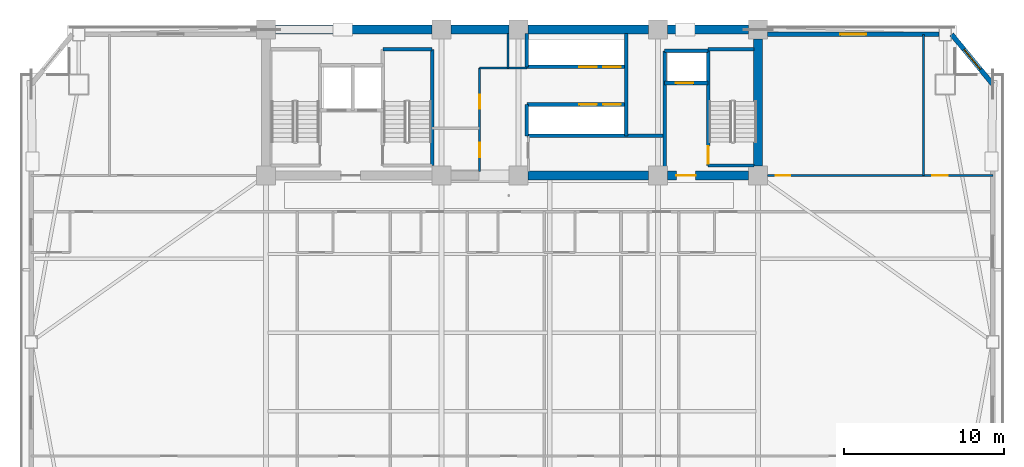
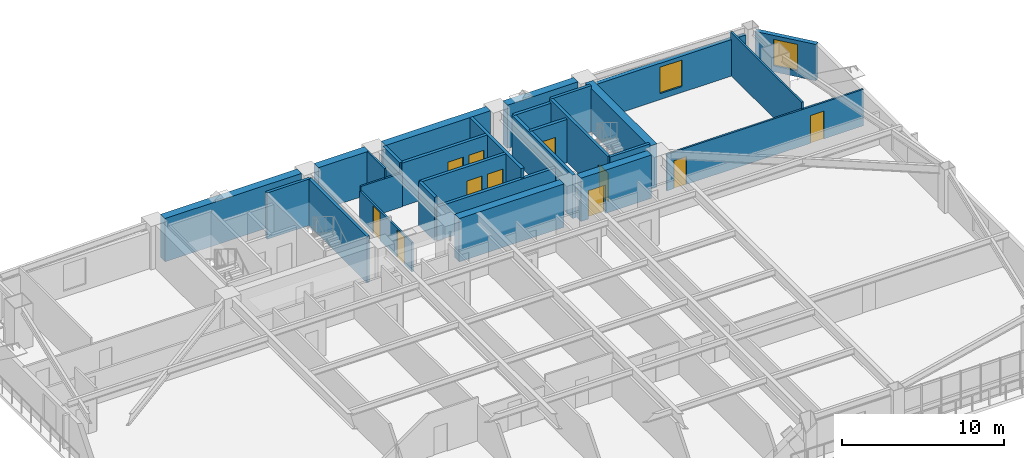
# One storey, part 10 of 17: 28 walls, 11 doors, 2 windows, 13 openings.
"""IFC4 building model written with IfcOpenShell, lengths in metres."""

from ifc_helpers import new_model, si_unit, direction, frame, frame_2d, origin, place, context, subcontext, project, spatial, rectangle, extrude, source, transform, mapped, material, layer, layer_set, type_object, element, fill, save


model = new_model("IFC4")

# Units and contexts
model_context = context("Model", 3, precision=1e-05, world=origin(), true_north=direction((0.0, 1.0)))
body_context = subcontext(model_context, "Body", "Model", "MODEL_VIEW")
ifc_project = project(units=[si_unit("LENGTHUNIT", "METRE"), si_unit("AREAUNIT", "SQUARE_METRE"), si_unit("VOLUMEUNIT", "CUBIC_METRE"), si_unit("PLANEANGLEUNIT", "RADIAN"), si_unit("MASSUNIT", "GRAM", prefix="KILO")], contexts=[model_context])

# Site, building, storey
site_placement = place(None, origin())
site = spatial("IfcSite", under=ifc_project, at=site_placement, CompositionType="ELEMENT")
building_placement = place(site_placement, origin())
building = spatial("IfcBuilding", under=site, at=building_placement, Name="Giltprow Tower", CompositionType="ELEMENT")
storey_placement = place(building_placement, frame((0.0, 0.0, 137.699951171875)))
storey = spatial("IfcBuildingStorey", under=building, at=storey_placement, Name="L33", CompositionType="ELEMENT", Elevation=137.699951171875)

# Wall, opening, window
ifc_material_1 = material(Name="Precast concrete C40", Category="concrete")
ifc_layer_1 = layer(ifc_material_1, 0.300048828125, Name="Precast concrete C40")
ifc_layer_set_1 = layer_set([ifc_layer_1], Name="Precast concrete C40")
wall_type_1 = type_object("IfcWallType", Name="EW-NOTCH-CHAMFER-300", PredefinedType="SOLIDWALL", material=ifc_layer_set_1)
wall_1_placement = place(storey_placement, frame((65.18603515625, 43.134033203125, 0.0), z_axis=(0.0, 0.0, 1.0), x_axis=(-0.63553760815, 0.772069911748, 0.0)))
wall_1 = element("IfcWall", 1, at=wall_1_placement, inside=storey, type_object=wall_type_1, Name="L33 Corner Notch Wall NE", PredefinedType="SOLIDWALL", context=body_context, shape_type="SweptSolid", body=[
    extrude(rectangle(XDim=4.035888671875, YDim=0.300048828125, at=frame_2d((2.01806640625, 0.0))), origin(), (0.0, 0.0, 1.0), 2.75),
])
opening_1_placement = place(wall_1_placement, frame((1.218017578125, 0.0, 0.449951171875)))
opening_1 = element("IfcOpeningElement", 2, at=opening_1_placement, cuts=wall_1, Name="Opening WN17", PredefinedType="OPENING", context=body_context, shape_type="SweptSolid", body=[
    extrude(rectangle(XDim=1.60009765625, YDim=2.0, at=frame_2d((0.800048828125, 1.0))), frame((0.0, 0.159912109375, 0.0), z_axis=(0.0, -1.0, 0.0), x_axis=(1.0, 0.0, 0.0)), (0.0, 0.0, 1.0), 0.320068359375),
])
ifc_material_2 = material(Name="Insulated glass", Category="glass")
window_type = type_object("IfcWindowType", Name="WN-COR-1600x2000", PartitioningType="SINGLE_PANEL", PredefinedType="WINDOW", material=ifc_material_2)
shared_shape_1 = source(origin(), body_context, "Body", "SweptSolid", [
    extrude(rectangle(XDim=1.60009765625, YDim=2.0, at=frame_2d((0.800048828125, 1.0))), frame((0.0, 0.030029296875, 0.0), z_axis=(0.0, -1.0, 0.0), x_axis=(1.0, 0.0, 0.0)), (0.0, 0.0, 1.0), 0.06005859375),
])
window_1_placement = place(opening_1_placement, origin())
window_1 = element("IfcWindow", 3, at=window_1_placement, inside=storey, type_object=window_type, Name="L33 Corner Notch Window NE", OverallHeight=2.0, OverallWidth=1.60009765625, PartitioningType="SINGLE_PANEL", PredefinedType="WINDOW", context=body_context, shape_type="MappedRepresentation", body=[
    mapped(shared_shape_1, transform((0.0, 0.0, 0.0), x_axis=(1.0, 0.0, 0.0), y_axis=(0.0, 1.0, 0.0), z_axis=(0.0, 0.0, 1.0), scale=1.0)),
])
fill(opening_1, window_1)

ifc_layer_2 = layer(ifc_material_1, 0.280029296875, Name="Precast concrete C40")
ifc_layer_set_2 = layer_set([ifc_layer_2], Name="Precast concrete C40")
wall_type_2 = type_object("IfcWallType", Name="EW-TOW-BRONZE-280", PredefinedType="SOLIDWALL", material=ifc_layer_set_2)
wall_2_placement = place(storey_placement, frame((51.14990234375, 46.25, 0.0), z_axis=(0.0, 0.0, 1.0), x_axis=(1.0, 0.0, 0.0)))
wall_2 = element("IfcWall", 4, at=wall_2_placement, inside=storey, type_object=wall_type_2, Name="L33 North-East Wing Wall", PredefinedType="SOLIDWALL", context=body_context, shape_type="SweptSolid", body=[
    extrude(rectangle(XDim=10.671142578125, YDim=0.280029296875, at=frame_2d((5.33544921875, 0.0))), origin(), (0.0, 0.0, 1.0), 2.75),
])
opening_2_placement = place(wall_2_placement, frame((4.534912109375, 0.0, 0.449951171875)))
opening_2 = element("IfcOpeningElement", 5, at=opening_2_placement, cuts=wall_2, Name="Opening WN17", PredefinedType="OPENING", context=body_context, shape_type="SweptSolid", body=[
    extrude(rectangle(XDim=1.60009765625, YDim=2.0, at=frame_2d((0.800048828125, 1.0))), frame((0.0, 0.14990234375, 0.0), z_axis=(0.0, -1.0, 0.0), x_axis=(1.0, 0.0, 0.0)), (0.0, 0.0, 1.0), 0.300048828125),
])
window_2_placement = place(opening_2_placement, origin())
window_2 = element("IfcWindow", 6, at=window_2_placement, inside=storey, type_object=window_type, Name="L33 North-East Window", OverallHeight=2.0, OverallWidth=1.60009765625, PartitioningType="SINGLE_PANEL", PredefinedType="WINDOW", context=body_context, shape_type="MappedRepresentation", body=[
    mapped(shared_shape_1, transform((0.0, 0.0, 0.0), x_axis=(1.0, 0.0, 0.0), y_axis=(0.0, 1.0, 0.0), z_axis=(0.0, 0.0, 1.0), scale=1.0)),
])
fill(opening_2, window_2)

# Wall, opening, door
ifc_material_3 = material(Name="Concrete C40", Category="concrete")
ifc_layer_3 = layer(ifc_material_3, 0.219970703125, Name="Concrete C40")
ifc_layer_set_3 = layer_set([ifc_layer_3], Name="Concrete C40")
wall_type_3 = type_object("IfcWallType", Name="IW-SHAFT-220", PredefinedType="SOLIDWALL", material=ifc_layer_set_3)
wall_3_placement = place(storey_placement, frame((44.719970703125, 43.219970703125, 0.0), z_axis=(0.0, 0.0, 1.0), x_axis=(1.0, 0.0, 0.0)))
wall_3 = element("IfcWall", 7, at=wall_3_placement, inside=storey, type_object=wall_type_3, Name="L33 FFL2 Front Shaft Wall", PredefinedType="SOLIDWALL", context=body_context, shape_type="SweptSolid", body=[
    extrude(rectangle(XDim=2.719970703125, YDim=0.219970703125, at=frame_2d((1.35986328125, 0.0))), origin(), (0.0, 0.0, 1.0), 3.27001953125),
])
opening_3_placement = place(wall_3_placement, frame((0.699951171875, 0.0, 0.0)))
opening_3 = element("IfcOpeningElement", 8, at=opening_3_placement, cuts=wall_3, Name="Opening LD-11", PredefinedType="OPENING", context=body_context, shape_type="SweptSolid", body=[
    extrude(rectangle(XDim=1.10009765625, YDim=2.199951171875, at=frame_2d((0.550048828125, 1.10009765625))), frame((0.0, 0.119873046875, 0.0), z_axis=(0.0, -1.0, 0.0), x_axis=(1.0, 0.0, 0.0)), (0.0, 0.0, 1.0), 0.239990234375),
])
ifc_material_4 = material(Name="Stainless steel", Category="steel")
door_type_1 = type_object("IfcDoorType", Name="DR-LIFT-LD1100", OperationType="SLIDING_TO_LEFT", PredefinedType="DOOR", material=ifc_material_4)
shared_shape_2 = source(origin(), body_context, "Body", "SweptSolid", [
    extrude(rectangle(XDim=1.10009765625, YDim=2.199951171875, at=frame_2d((0.550048828125, 1.10009765625))), frame((0.0, 0.02490234375, 0.0), z_axis=(0.0, -1.0, 0.0), x_axis=(1.0, 0.0, 0.0)), (0.0, 0.0, 1.0), 0.050048828125),
])
door_1_placement = place(opening_3_placement, origin())
door_1 = element("IfcDoor", 9, at=door_1_placement, inside=storey, type_object=door_type_1, Name="L33 FFL2 Landing Door", OperationType="SLIDING_TO_LEFT", OverallHeight=2.199951171875, OverallWidth=1.10009765625, PredefinedType="DOOR", context=body_context, shape_type="MappedRepresentation", body=[
    mapped(shared_shape_2, transform((0.0, 0.0, 0.0), x_axis=(1.0, 0.0, 0.0), y_axis=(0.0, 1.0, 0.0), z_axis=(0.0, 0.0, 1.0), scale=1.0)),
])
fill(opening_3, door_1)

# Walls
wall_4_placement = place(storey_placement, frame((44.719970703125, 45.219970703125, 0.0), z_axis=(0.0, 0.0, 1.0), x_axis=(1.0, 0.0, 0.0)))
element("IfcWall", 10, at=wall_4_placement, inside=storey, type_object=wall_type_3, Name="L33 FFL2 Back Shaft Wall", PredefinedType="SOLIDWALL", context=body_context, shape_type="SweptSolid", body=[
    extrude(rectangle(XDim=2.719970703125, YDim=0.219970703125, at=frame_2d((1.35986328125, 0.0))), origin(), (0.0, 0.0, 1.0), 3.27001953125),
])
wall_5_placement = place(storey_placement, frame((44.719970703125, 37.705078125, 0.0), z_axis=(0.0, 0.0, 1.0), x_axis=(0.0, 1.0, 0.0)))
element("IfcWall", 11, at=wall_5_placement, inside=storey, type_object=wall_type_3, Name="L33 East Firefighting Lobby West Wall", PredefinedType="SOLIDWALL", context=body_context, shape_type="SweptSolid", body=[
    extrude(rectangle(XDim=7.514892578125, YDim=0.219970703125, at=frame_2d((3.75732421875, 0.0))), origin(), (0.0, 0.0, 1.0), 3.27001953125),
])

# Wall, openings, doors
wall_6_placement = place(storey_placement, frame((36.1201171875, 44.219970703125, 0.0), z_axis=(0.0, 0.0, 1.0), x_axis=(1.0, 0.0, 0.0)))
wall_6 = element("IfcWall", 12, at=wall_6_placement, inside=storey, type_object=wall_type_3, Name="L33 Mid-Rise Lift Shaft Front Wall N", PredefinedType="SOLIDWALL", context=body_context, shape_type="SweptSolid", body=[
    extrude(rectangle(XDim=6.199951171875, YDim=0.219970703125, at=frame_2d((3.10009765625, 0.0))), origin(), (0.0, 0.0, 1.0), 3.27001953125),
])
opening_4_placement = place(wall_6_placement, frame((3.280029296875, 0.0, 0.0)))
opening_4 = element("IfcOpeningElement", 13, at=opening_4_placement, cuts=wall_6, Name="Opening LD-11", PredefinedType="OPENING", context=body_context, shape_type="SweptSolid", body=[
    extrude(rectangle(XDim=1.10009765625, YDim=2.199951171875, at=frame_2d((0.550048828125, 1.10009765625))), frame((0.0, 0.119873046875, 0.0), z_axis=(0.0, -1.0, 0.0), x_axis=(1.0, 0.0, 0.0)), (0.0, 0.0, 1.0), 0.239990234375),
])
opening_5_placement = place(wall_6_placement, frame((4.77001953125, 0.0, 0.0)))
opening_5 = element("IfcOpeningElement", 14, at=opening_5_placement, cuts=wall_6, Name="Opening LD-11", PredefinedType="OPENING", context=body_context, shape_type="SweptSolid", body=[
    extrude(rectangle(XDim=1.10009765625, YDim=2.199951171875, at=frame_2d((0.550048828125, 1.10009765625))), frame((0.0, 0.119873046875, 0.0), z_axis=(0.0, -1.0, 0.0), x_axis=(1.0, 0.0, 0.0)), (0.0, 0.0, 1.0), 0.239990234375),
])
door_2_placement = place(opening_4_placement, origin())
door_2 = element("IfcDoor", 15, at=door_2_placement, inside=storey, type_object=door_type_1, Name="L33 PL-M1 Landing Door", OperationType="SLIDING_TO_LEFT", OverallHeight=2.199951171875, OverallWidth=1.10009765625, PredefinedType="DOOR", context=body_context, shape_type="MappedRepresentation", body=[
    mapped(shared_shape_2, transform((0.0, 0.0, 0.0), x_axis=(1.0, 0.0, 0.0), y_axis=(0.0, 1.0, 0.0), z_axis=(0.0, 0.0, 1.0), scale=1.0)),
])
fill(opening_4, door_2)
door_3_placement = place(opening_5_placement, origin())
door_3 = element("IfcDoor", 16, at=door_3_placement, inside=storey, type_object=door_type_1, Name="L33 PL-M2 Landing Door", OperationType="SLIDING_TO_LEFT", OverallHeight=2.199951171875, OverallWidth=1.10009765625, PredefinedType="DOOR", context=body_context, shape_type="MappedRepresentation", body=[
    mapped(shared_shape_2, transform((0.0, 0.0, 0.0), x_axis=(1.0, 0.0, 0.0), y_axis=(0.0, 1.0, 0.0), z_axis=(0.0, 0.0, 1.0), scale=1.0)),
])
fill(opening_5, door_3)

wall_7_placement = place(storey_placement, frame((36.1201171875, 41.8798828125, 0.0), z_axis=(0.0, 0.0, 1.0), x_axis=(1.0, 0.0, 0.0)))
wall_7 = element("IfcWall", 17, at=wall_7_placement, inside=storey, type_object=wall_type_3, Name="L33 Mid-Rise Lift Shaft Front Wall S", PredefinedType="SOLIDWALL", context=body_context, shape_type="SweptSolid", body=[
    extrude(rectangle(XDim=6.199951171875, YDim=0.219970703125, at=frame_2d((3.10009765625, 0.0))), origin(), (0.0, 0.0, 1.0), 3.27001953125),
])
opening_6_placement = place(wall_7_placement, frame((3.280029296875, 0.0, 0.0)))
opening_6 = element("IfcOpeningElement", 18, at=opening_6_placement, cuts=wall_7, Name="Opening LD-11", PredefinedType="OPENING", context=body_context, shape_type="SweptSolid", body=[
    extrude(rectangle(XDim=1.10009765625, YDim=2.199951171875, at=frame_2d((0.550048828125, 1.10009765625))), frame((0.0, 0.119873046875, 0.0), z_axis=(0.0, -1.0, 0.0), x_axis=(1.0, 0.0, 0.0)), (0.0, 0.0, 1.0), 0.239990234375),
])
opening_7_placement = place(wall_7_placement, frame((4.77001953125, 0.0, 0.0)))
opening_7 = element("IfcOpeningElement", 19, at=opening_7_placement, cuts=wall_7, Name="Opening LD-11", PredefinedType="OPENING", context=body_context, shape_type="SweptSolid", body=[
    extrude(rectangle(XDim=1.10009765625, YDim=2.199951171875, at=frame_2d((0.550048828125, 1.10009765625))), frame((0.0, 0.119873046875, 0.0), z_axis=(0.0, -1.0, 0.0), x_axis=(1.0, 0.0, 0.0)), (0.0, 0.0, 1.0), 0.239990234375),
])
door_4_placement = place(opening_6_placement, origin())
door_4 = element("IfcDoor", 20, at=door_4_placement, inside=storey, type_object=door_type_1, Name="L33 PL-M3 Landing Door", OperationType="SLIDING_TO_LEFT", OverallHeight=2.199951171875, OverallWidth=1.10009765625, PredefinedType="DOOR", context=body_context, shape_type="MappedRepresentation", body=[
    mapped(shared_shape_2, transform((0.0, 0.0, 0.0), x_axis=(1.0, 0.0, 0.0), y_axis=(0.0, 1.0, 0.0), z_axis=(0.0, 0.0, 1.0), scale=1.0)),
])
fill(opening_6, door_4)
door_5_placement = place(opening_7_placement, origin())
door_5 = element("IfcDoor", 21, at=door_5_placement, inside=storey, type_object=door_type_1, Name="L33 PL-M4 Landing Door", OperationType="SLIDING_TO_LEFT", OverallHeight=2.199951171875, OverallWidth=1.10009765625, PredefinedType="DOOR", context=body_context, shape_type="MappedRepresentation", body=[
    mapped(shared_shape_2, transform((0.0, 0.0, 0.0), x_axis=(1.0, 0.0, 0.0), y_axis=(0.0, 1.0, 0.0), z_axis=(0.0, 0.0, 1.0), scale=1.0)),
])
fill(opening_7, door_5)

# Walls
wall_8_placement = place(storey_placement, frame((36.1201171875, 39.919921875, 0.0), z_axis=(0.0, 0.0, 1.0), x_axis=(1.0, 0.0, 0.0)))
element("IfcWall", 22, at=wall_8_placement, inside=storey, type_object=wall_type_3, Name="L33 Mid-Rise South Lift Back Wall", PredefinedType="SOLIDWALL", context=body_context, shape_type="SweptSolid", body=[
    extrude(rectangle(XDim=8.599853515625, YDim=0.219970703125, at=frame_2d((4.2998046875, 0.0))), origin(), (0.0, 0.0, 1.0), 2.554931640625),
])
wall_9_placement = place(storey_placement, frame((42.320068359375, 39.919921875, 0.0), z_axis=(0.0, 0.0, 1.0), x_axis=(0.0, 1.0, 0.0)))
element("IfcWall", 23, at=wall_9_placement, inside=storey, type_object=wall_type_3, Name="L33 Mid-Rise Lift Bank East Closure", PredefinedType="SOLIDWALL", context=body_context, shape_type="SweptSolid", body=[
    extrude(rectangle(XDim=6.375, YDim=0.219970703125, at=frame_2d((3.1875, 0.0))), origin(), (0.0, 0.0, 1.0), 3.27001953125),
])
wall_10_placement = place(storey_placement, frame((36.1201171875, 39.919921875, 0.0), z_axis=(0.0, 0.0, 1.0), x_axis=(0.0, 1.0, 0.0)))
element("IfcWall", 24, at=wall_10_placement, inside=storey, type_object=wall_type_3, Name="L33 Mid-Rise South Lift West Closure", PredefinedType="SOLIDWALL", context=body_context, shape_type="SweptSolid", body=[
    extrude(rectangle(XDim=1.9599609375, YDim=0.219970703125, at=frame_2d((0.97998046875, 0.0))), origin(), (0.0, 0.0, 1.0), 3.27001953125),
])
wall_11_placement = place(storey_placement, frame((36.1201171875, 44.219970703125, 0.0), z_axis=(0.0, 0.0, 1.0), x_axis=(0.0, 1.0, 0.0)))
element("IfcWall", 25, at=wall_11_placement, inside=storey, type_object=wall_type_3, Name="L33 Mid-Rise North Lift West Closure", PredefinedType="SOLIDWALL", context=body_context, shape_type="SweptSolid", body=[
    extrude(rectangle(XDim=2.074951171875, YDim=0.219970703125, at=frame_2d((1.03759765625, 0.0))), origin(), (0.0, 0.0, 1.0), 3.27001953125),
])
ifc_layer_4 = layer(ifc_material_3, 0.199951171875, Name="Concrete C40")
ifc_layer_set_4 = layer_set([ifc_layer_4], Name="Concrete C40")
wall_type_4 = type_object("IfcWallType", Name="IW-STAIR-200", PredefinedType="SOLIDWALL", material=ifc_layer_set_4)
wall_12_placement = place(storey_placement, frame((30.219970703125, 38.070068359375, 0.0), z_axis=(0.0, 0.0, 1.0), x_axis=(0.0, 1.0, 0.0)))
element("IfcWall", 26, at=wall_12_placement, inside=storey, type_object=wall_type_4, Name="L33 Stair ST-2 East Bearing Wall", PredefinedType="SOLIDWALL", context=body_context, shape_type="SweptSolid", body=[
    extrude(rectangle(XDim=7.25, YDim=0.199951171875, at=frame_2d((3.625, 0.0))), origin(), (0.0, 0.0, 1.0), 3.5),
])
wall_13_placement = place(storey_placement, frame((27.139892578125, 45.320068359375, 0.0), z_axis=(0.0, 0.0, 1.0), x_axis=(1.0, 0.0, 0.0)))
element("IfcWall", 27, at=wall_13_placement, inside=storey, type_object=wall_type_4, Name="L33 Stair ST-2 North Bearing Wall", PredefinedType="SOLIDWALL", context=body_context, shape_type="SweptSolid", body=[
    extrude(rectangle(XDim=3.080078125, YDim=0.199951171875, at=frame_2d((1.5400390625, 0.0))), origin(), (0.0, 0.0, 1.0), 3.5),
])

# Wall, opening, door
wall_14_placement = place(storey_placement, frame((47.43994140625, 38.070068359375, 0.0), z_axis=(0.0, 0.0, 1.0), x_axis=(0.0, 1.0, 0.0)))
wall_14 = element("IfcWall", 28, at=wall_14_placement, inside=storey, type_object=wall_type_4, Name="L33 Stair ST-3 West Bearing Wall", PredefinedType="SOLIDWALL", context=body_context, shape_type="SweptSolid", body=[
    extrude(rectangle(XDim=7.25, YDim=0.199951171875, at=frame_2d((3.625, 0.0))), origin(), (0.0, 0.0, 1.0), 3.5),
])
opening_8_placement = place(wall_14_placement, frame((0.110107421875, 0.0, 0.0)))
opening_8 = element("IfcOpeningElement", 29, at=opening_8_placement, cuts=wall_14, Name="Opening ID33", PredefinedType="OPENING", context=body_context, shape_type="SweptSolid", body=[
    extrude(rectangle(XDim=1.10009765625, YDim=2.14990234375, at=frame_2d((0.550048828125, 1.074951171875))), frame((0.0, 0.10986328125, 0.0), z_axis=(0.0, -1.0, 0.0), x_axis=(1.0, 0.0, 0.0)), (0.0, 0.0, 1.0), 0.219970703125),
])
ifc_material_5 = material(Name="Steel fire leaf", Category="steel")
door_type_2 = type_object("IfcDoorType", Name="DR-STAIR-1100", OperationType="SINGLE_SWING_LEFT", PredefinedType="DOOR", material=ifc_material_5)
shared_shape_3 = source(origin(), body_context, "Body", "SweptSolid", [
    extrude(rectangle(XDim=1.10009765625, YDim=2.14990234375, at=frame_2d((0.550048828125, 1.074951171875))), frame((0.0, 0.02490234375, 0.0), z_axis=(0.0, -1.0, 0.0), x_axis=(1.0, 0.0, 0.0)), (0.0, 0.0, 1.0), 0.050048828125),
])
door_6_placement = place(opening_8_placement, origin())
door_6 = element("IfcDoor", 30, at=door_6_placement, inside=storey, type_object=door_type_2, Name="L33 Stair ST-3 Fire Door", OperationType="SINGLE_SWING_RIGHT", OverallHeight=2.14990234375, OverallWidth=1.10009765625, PredefinedType="DOOR", context=body_context, shape_type="MappedRepresentation", body=[
    mapped(shared_shape_3, transform((0.0, 0.0, 0.0), x_axis=(1.0, 0.0, 0.0), y_axis=(0.0, 1.0, 0.0), z_axis=(0.0, 0.0, 1.0), scale=1.0)),
])
fill(opening_8, door_6)

# Walls
for number, where, z_axis, x_axis, name in (
    (31, (47.43994140625, 45.320068359375, 0.0), (0.0, 0.0, 1.0), (1.0, 0.0, 0.0), "L33 Stair ST-3 North Bearing Wall"),
    (32, (47.43994140625, 38.070068359375, 0.0), (0.0, 0.0, 1.0), (1.0, 0.0, 0.0), "L33 Stair ST-3 South Bearing Wall"),
):
    element("IfcWall", number, at=place(storey_placement, frame(where, z_axis=z_axis, x_axis=x_axis)), inside=storey, type_object=wall_type_4, Name=name, PredefinedType="SOLIDWALL", context=body_context, shape_type="SweptSolid", body=[
        extrude(rectangle(XDim=2.85498046875, YDim=0.199951171875, at=frame_2d((1.427490234375, 0.0))), origin(), (0.0, 0.0, 1.0), 3.5),
    ])

# Wall, openings, doors
ifc_material_6 = material(Name="Concrete C30", Category="concrete")
ifc_layer_5 = layer(ifc_material_6, 0.1298828125, Name="Concrete C30")
ifc_layer_set_5 = layer_set([ifc_layer_5], Name="Concrete C30")
wall_type_5 = type_object("IfcWallType", Name="IW-WET-130", PredefinedType="PARTITIONING", material=ifc_layer_set_5)
wall_15_placement = place(storey_placement, frame((33.179931640625, 37.705078125, 0.0), z_axis=(0.0, 0.0, 1.0), x_axis=(0.0, 1.0, 0.0)))
wall_15 = element("IfcWall", 33, at=wall_15_placement, inside=storey, type_object=wall_type_5, Name="L33 Reclaimed Core Room East Wall", PredefinedType="PARTITIONING", context=body_context, shape_type="SweptSolid", body=[
    extrude(rectangle(XDim=6.44482421875, YDim=0.1298828125, at=frame_2d((3.222412109375, 0.0))), origin(), (0.0, 0.0, 1.0), 2.219970703125),
])
opening_9_placement = place(wall_15_placement, frame((0.89501953125, 0.0, 0.0)))
opening_9 = element("IfcOpeningElement", 34, at=opening_9_placement, cuts=wall_15, Name="Opening ID35", PredefinedType="OPENING", context=body_context, shape_type="SweptSolid", body=[
    extrude(rectangle(XDim=0.89990234375, YDim=2.10009765625, at=frame_2d((0.449951171875, 1.050048828125))), frame((0.0, 0.074951171875, 0.0), z_axis=(0.0, -1.0, 0.0), x_axis=(1.0, 0.0, 0.0)), (0.0, 0.0, 1.0), 0.14990234375),
])
opening_10_placement = place(wall_15_placement, frame((3.89501953125, 0.0, 0.0)))
opening_10 = element("IfcOpeningElement", 35, at=opening_10_placement, cuts=wall_15, Name="Opening ID35", PredefinedType="OPENING", context=body_context, shape_type="SweptSolid", body=[
    extrude(rectangle(XDim=0.89990234375, YDim=2.10009765625, at=frame_2d((0.449951171875, 1.050048828125))), frame((0.0, 0.074951171875, 0.0), z_axis=(0.0, -1.0, 0.0), x_axis=(1.0, 0.0, 0.0)), (0.0, 0.0, 1.0), 0.14990234375),
])
door_type_3 = type_object("IfcDoorType", Name="DR-SHAFT-900", OperationType="SINGLE_SWING_LEFT", PredefinedType="DOOR", material=ifc_material_5)
shared_shape_4 = source(origin(), body_context, "Body", "SweptSolid", [
    extrude(rectangle(XDim=0.89990234375, YDim=2.10009765625, at=frame_2d((0.449951171875, 1.050048828125))), frame((0.0, 0.02490234375, 0.0), z_axis=(0.0, -1.0, 0.0), x_axis=(1.0, 0.0, 0.0)), (0.0, 0.0, 1.0), 0.050048828125),
])
door_7_placement = place(opening_9_placement, origin())
door_7 = element("IfcDoor", 36, at=door_7_placement, inside=storey, type_object=door_type_3, Name="L33 Core Accessible WC Door", OperationType="SINGLE_SWING_LEFT", OverallHeight=2.10009765625, OverallWidth=0.89990234375, PredefinedType="DOOR", context=body_context, shape_type="MappedRepresentation", body=[
    mapped(shared_shape_4, transform((0.0, 0.0, 0.0), x_axis=(1.0, 0.0, 0.0), y_axis=(0.0, 1.0, 0.0), z_axis=(0.0, 0.0, 1.0), scale=1.0)),
])
fill(opening_9, door_7)
door_8_placement = place(opening_10_placement, origin())
door_8 = element("IfcDoor", 37, at=door_8_placement, inside=storey, type_object=door_type_3, Name="L33 Housekeeping Room Door", OperationType="SINGLE_SWING_RIGHT", OverallHeight=2.10009765625, OverallWidth=0.89990234375, PredefinedType="DOOR", context=body_context, shape_type="MappedRepresentation", body=[
    mapped(shared_shape_4, transform((0.0, 0.0, 0.0), x_axis=(1.0, 0.0, 0.0), y_axis=(0.0, 1.0, 0.0), z_axis=(0.0, 0.0, 1.0), scale=1.0)),
])
fill(opening_10, door_8)

# Walls
wall_16_placement = place(storey_placement, frame((34.949951171875, 44.14990234375, 0.0), z_axis=(0.0, 0.0, 1.0), x_axis=(0.0, 1.0, 0.0)))
element("IfcWall", 38, at=wall_16_placement, inside=storey, type_object=wall_type_5, Name="L33 Reclaimed North Pocket East Wall", PredefinedType="PARTITIONING", context=body_context, shape_type="SweptSolid", body=[
    extrude(rectangle(XDim=2.14501953125, YDim=0.1298828125, at=frame_2d((1.072509765625, 0.0))), origin(), (0.0, 0.0, 1.0), 3.27001953125),
])
wall_17_placement = place(storey_placement, frame((33.179931640625, 44.14990234375, 0.0), z_axis=(0.0, 0.0, 1.0), x_axis=(1.0, 0.0, 0.0)))
element("IfcWall", 39, at=wall_17_placement, inside=storey, type_object=wall_type_5, Name="L33 Reclaimed North Pocket South Wall", PredefinedType="PARTITIONING", context=body_context, shape_type="SweptSolid", body=[
    extrude(rectangle(XDim=2.969970703125, YDim=0.1298828125, at=frame_2d((1.48486328125, 0.0))), origin(), (0.0, 0.0, 1.0), 2.554931640625),
])

# Wall, openings, doors
wall_18_placement = place(storey_placement, frame((51.14990234375, 37.449951171875, 0.0), z_axis=(0.0, 0.0, 1.0), x_axis=(1.0, 0.0, 0.0)))
wall_18 = element("IfcWall", 40, at=wall_18_placement, inside=storey, type_object=wall_type_5, Name="L33 NE Wing South Wall", PredefinedType="PARTITIONING", context=body_context, shape_type="SweptSolid", body=[
    extrude(rectangle(XDim=14.0361328125, YDim=0.1298828125, at=frame_2d((7.01806640625, 0.0))), origin(), (0.0, 0.0, 1.0), 2.755126953125),
])
opening_11_placement = place(wall_18_placement, frame((0.5, 0.0, 0.0)))
opening_11 = element("IfcOpeningElement", 41, at=opening_11_placement, cuts=wall_18, Name="Opening ID15", PredefinedType="OPENING", context=body_context, shape_type="SweptSolid", body=[
    extrude(rectangle(XDim=0.89990234375, YDim=2.10009765625, at=frame_2d((0.449951171875, 1.050048828125))), frame((0.0, 0.074951171875, 0.0), z_axis=(0.0, -1.0, 0.0), x_axis=(1.0, 0.0, 0.0)), (0.0, 0.0, 1.0), 0.14990234375),
])
opening_12_placement = place(wall_18_placement, frame((10.264892578125, 0.0, 0.0)))
opening_12 = element("IfcOpeningElement", 42, at=opening_12_placement, cuts=wall_18, Name="Opening ID11", PredefinedType="OPENING", context=body_context, shape_type="SweptSolid", body=[
    extrude(rectangle(XDim=0.949951171875, YDim=2.10009765625, at=frame_2d((0.47509765625, 1.050048828125))), frame((0.0, 0.074951171875, 0.0), z_axis=(0.0, -1.0, 0.0), x_axis=(1.0, 0.0, 0.0)), (0.0, 0.0, 1.0), 0.14990234375),
])
ifc_material_7 = material(Name="Engineered timber", Category="wood")
door_type_4 = type_object("IfcDoorType", Name="DR-WC-900", OperationType="SINGLE_SWING_LEFT", PredefinedType="DOOR", material=ifc_material_7)
door_9_placement = place(opening_11_placement, origin())
door_9 = element("IfcDoor", 43, at=door_9_placement, inside=storey, type_object=door_type_4, Name="L33 East Wing Washroom Door", OperationType="SINGLE_SWING_RIGHT", OverallHeight=2.10009765625, OverallWidth=0.89990234375, PredefinedType="DOOR", context=body_context, shape_type="MappedRepresentation", body=[
    mapped(shared_shape_4, transform((0.0, 0.0, 0.0), x_axis=(1.0, 0.0, 0.0), y_axis=(0.0, 1.0, 0.0), z_axis=(0.0, 0.0, 1.0), scale=1.0)),
])
fill(opening_11, door_9)
door_type_5 = type_object("IfcDoorType", Name="DR-ROOM-950", OperationType="SINGLE_SWING_RIGHT", PredefinedType="DOOR", material=ifc_material_7)
shared_shape_5 = source(origin(), body_context, "Body", "SweptSolid", [
    extrude(rectangle(XDim=0.949951171875, YDim=2.10009765625, at=frame_2d((0.47509765625, 1.050048828125))), frame((0.0, 0.02490234375, 0.0), z_axis=(0.0, -1.0, 0.0), x_axis=(1.0, 0.0, 0.0)), (0.0, 0.0, 1.0), 0.050048828125),
])
door_10_placement = place(opening_12_placement, origin())
door_10 = element("IfcDoor", 44, at=door_10_placement, inside=storey, type_object=door_type_5, Name="L33 Hotel Floor Linen Store Door", OperationType="SINGLE_SWING_RIGHT", OverallHeight=2.10009765625, OverallWidth=0.949951171875, PredefinedType="DOOR", context=body_context, shape_type="MappedRepresentation", body=[
    mapped(shared_shape_5, transform((0.0, 0.0, 0.0), x_axis=(1.0, 0.0, 0.0), y_axis=(0.0, 1.0, 0.0), z_axis=(0.0, 0.0, 1.0), scale=1.0)),
])
fill(opening_12, door_10)

# Walls
wall_19_placement = place(storey_placement, frame((60.864990234375, 37.449951171875, 0.0), z_axis=(0.0, 0.0, 1.0), x_axis=(0.0, 1.0, 0.0)))
element("IfcWall", 45, at=wall_19_placement, inside=storey, type_object=wall_type_5, Name="L33 NE Wing Divider", PredefinedType="PARTITIONING", context=body_context, shape_type="SweptSolid", body=[
    extrude(rectangle(XDim=8.800048828125, YDim=0.1298828125, at=frame_2d((4.39990234375, 0.0))), origin(), (0.0, 0.0, 1.0), 3.27001953125),
])
ifc_material_8 = material(Name="Concrete C60", Category="concrete")
ifc_layer_6 = layer(ifc_material_8, 0.550048828125, Name="Concrete C60")
ifc_layer_set_6 = layer_set([ifc_layer_6], Name="Concrete C60")
wall_type_6 = type_object("IfcWallType", Name="SW-EXT-550-C60", PredefinedType="SHEAR", material=ifc_layer_set_6)
wall_20_placement = place(storey_placement, frame((20.449951171875, 46.550048828125, 0.0), z_axis=(0.0, 0.0, 1.0), x_axis=(1.0, 0.0, 0.0)))
element("IfcWall", 46, at=wall_20_placement, inside=storey, type_object=wall_type_6, Name="L33 North Rear Core Shear Wall 1", PredefinedType="SHEAR", context=body_context, shape_type="SweptSolid", body=[
    extrude(rectangle(XDim=9.75, YDim=0.550048828125, at=frame_2d((4.875, 0.0))), origin(), (0.0, 0.0, 1.0), 3.27001953125),
])
wall_21_placement = place(storey_placement, frame((31.39990234375, 46.550048828125, 0.0), z_axis=(0.0, 0.0, 1.0), x_axis=(1.0, 0.0, 0.0)))
element("IfcWall", 47, at=wall_21_placement, inside=storey, type_object=wall_type_6, Name="L33 North Rear Core Shear Wall 2", PredefinedType="SHEAR", context=body_context, shape_type="SweptSolid", body=[
    extrude(rectangle(XDim=3.60009765625, YDim=0.550048828125, at=frame_2d((1.800048828125, 0.0))), origin(), (0.0, 0.0, 1.0), 3.27001953125),
])
wall_22_placement = place(storey_placement, frame((36.199951171875, 46.550048828125, 0.0), z_axis=(0.0, 0.0, 1.0), x_axis=(1.0, 0.0, 0.0)))
element("IfcWall", 48, at=wall_22_placement, inside=storey, type_object=wall_type_6, Name="L33 North Rear Core Shear Wall 3", PredefinedType="SHEAR", context=body_context, shape_type="SweptSolid", body=[
    extrude(rectangle(XDim=7.5, YDim=0.550048828125, at=frame_2d((3.75, 0.0))), origin(), (0.0, 0.0, 1.0), 3.27001953125),
])
wall_23_placement = place(storey_placement, frame((44.89990234375, 46.550048828125, 0.0), z_axis=(0.0, 0.0, 1.0), x_axis=(1.0, 0.0, 0.0)))
element("IfcWall", 49, at=wall_23_placement, inside=storey, type_object=wall_type_6, Name="L33 North Rear Core Shear Wall 4", PredefinedType="SHEAR", context=body_context, shape_type="SweptSolid", body=[
    extrude(rectangle(XDim=5.050048828125, YDim=0.550048828125, at=frame_2d((2.52490234375, 0.0))), origin(), (0.0, 0.0, 1.0), 3.27001953125),
])
ifc_layer_7 = layer(ifc_material_8, 0.550048828125, Name="Concrete C60")
ifc_layer_set_7 = layer_set([ifc_layer_7], Name="Concrete C60")
wall_type_7 = type_object("IfcWallType", Name="SW-INT-550-C60", PredefinedType="SHEAR", material=ifc_layer_set_7)
wall_24_placement = place(storey_placement, frame((36.199951171875, 37.449951171875, 0.0), z_axis=(0.0, 0.0, 1.0), x_axis=(1.0, 0.0, 0.0)))
element("IfcWall", 50, at=wall_24_placement, inside=storey, type_object=wall_type_7, Name="L33 South Rear Core Shear Wall Mid-East", PredefinedType="SHEAR", context=body_context, shape_type="SweptSolid", body=[
    extrude(rectangle(XDim=7.5, YDim=0.550048828125, at=frame_2d((3.75, 0.0))), origin(), (0.0, 0.0, 1.0), 3.27001953125),
])

# Wall, opening, door
wall_25_placement = place(storey_placement, frame((44.89990234375, 37.449951171875, 0.0), z_axis=(0.0, 0.0, 1.0), x_axis=(1.0, 0.0, 0.0)))
wall_25 = element("IfcWall", 51, at=wall_25_placement, inside=storey, type_object=wall_type_7, Name="L33 South Rear Core Shear Wall East", PredefinedType="SHEAR", context=body_context, shape_type="SweptSolid", body=[
    extrude(rectangle(XDim=5.050048828125, YDim=0.550048828125, at=frame_2d((2.52490234375, 0.0))), origin(), (0.0, 0.0, 1.0), 3.27001953125),
])
opening_13_placement = place(wall_25_placement, frame((0.550048828125, 0.0, 0.0)))
opening_13 = element("IfcOpeningElement", 52, at=opening_13_placement, cuts=wall_25, Name="Opening ID19", PredefinedType="OPENING", context=body_context, shape_type="SweptSolid", body=[
    extrude(rectangle(XDim=1.199951171875, YDim=2.14990234375, at=frame_2d((0.60009765625, 1.074951171875))), frame((0.0, 0.284912109375, 0.0), z_axis=(0.0, -1.0, 0.0), x_axis=(1.0, 0.0, 0.0)), (0.0, 0.0, 1.0), 0.570068359375),
])
door_type_6 = type_object("IfcDoorType", Name="DR-FFLOBBY-1200", OperationType="SINGLE_SWING_RIGHT", PredefinedType="DOOR", material=ifc_material_5)
shared_shape_6 = source(origin(), body_context, "Body", "SweptSolid", [
    extrude(rectangle(XDim=1.199951171875, YDim=2.14990234375, at=frame_2d((0.60009765625, 1.074951171875))), frame((0.0, 0.02490234375, 0.0), z_axis=(0.0, -1.0, 0.0), x_axis=(1.0, 0.0, 0.0)), (0.0, 0.0, 1.0), 0.050048828125),
])
door_11_placement = place(opening_13_placement, origin())
door_11 = element("IfcDoor", 53, at=door_11_placement, inside=storey, type_object=door_type_6, Name="L33 East Firefighting Lobby Entry Door", OperationType="SINGLE_SWING_RIGHT", OverallHeight=2.14990234375, OverallWidth=1.199951171875, PredefinedType="DOOR", context=body_context, shape_type="MappedRepresentation", body=[
    mapped(shared_shape_6, transform((0.0, 0.0, 0.0), x_axis=(1.0, 0.0, 0.0), y_axis=(0.0, 1.0, 0.0), z_axis=(0.0, 0.0, 1.0), scale=1.0)),
])
fill(opening_13, door_11)

# Wall
wall_26_placement = place(storey_placement, frame((50.550048828125, 38.050048828125, 0.0), z_axis=(0.0, 0.0, 1.0), x_axis=(0.0, 1.0, 0.0)))
element("IfcWall", 54, at=wall_26_placement, inside=storey, type_object=wall_type_7, Name="L33 E Rear Core Shear Wall", PredefinedType="SHEAR", context=body_context, shape_type="SweptSolid", body=[
    extrude(rectangle(XDim=7.89990234375, YDim=0.550048828125, at=frame_2d((3.949951171875, 0.0))), origin(), (0.0, 0.0, 1.0), 3.27001953125),
])

save(model, "model.ifc")
